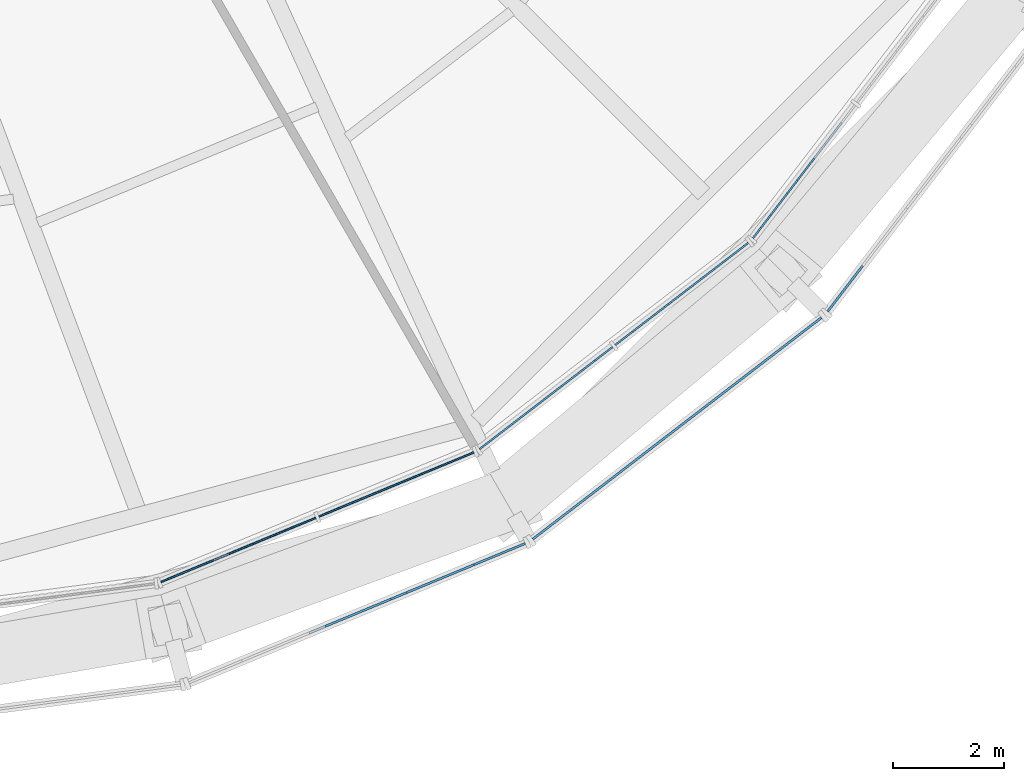
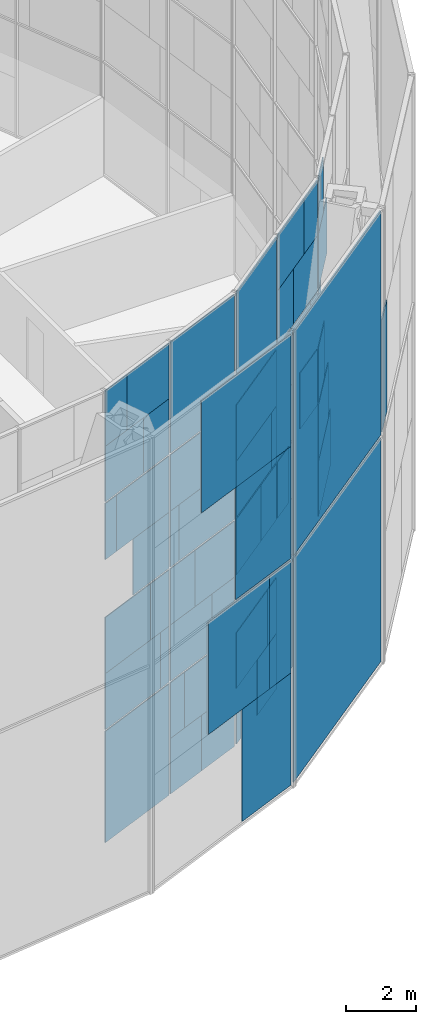
# One storey, part 17 of 28: 63 plates, 6 elements without a shape of their own.
"""IFC4 building model written with IfcOpenShell, lengths in metres."""

from ifc_helpers import new_model, si_unit, direction, frame, origin, origin_2d, place, context, subcontext, project, spatial, rectangle, extrude, material, layer, layer_set, type_object, element, aggregate, save


model = new_model("IFC4")

# Units and contexts
model_context = context("Model", 3, precision=1e-05, world=origin(), true_north=direction((0.0, 1.0)))
body_context = subcontext(model_context, "Body", "Model", "MODEL_VIEW")
ifc_project = project(units=[si_unit("LENGTHUNIT", "METRE"), si_unit("AREAUNIT", "SQUARE_METRE"), si_unit("VOLUMEUNIT", "CUBIC_METRE"), si_unit("PLANEANGLEUNIT", "RADIAN"), si_unit("MASSUNIT", "GRAM", prefix="KILO")], contexts=[model_context])

# Site, building, storey
site_placement = place(None, origin())
site = spatial("IfcSite", under=ifc_project, at=site_placement, CompositionType="ELEMENT")
building_placement = place(site_placement, origin())
building = spatial("IfcBuilding", under=site, at=building_placement, Name="Golbaran Civic Tower", CompositionType="ELEMENT")
storey_placement = place(building_placement, frame((0.0, 0.0, 183.0)))
storey = spatial("IfcBuildingStorey", under=building, at=storey_placement, Name="L44", CompositionType="ELEMENT", Elevation=183.0)

# Curtain wall, plates
ifc_material_1 = material(Name="Aluminium and glass", Category="aluminium")
curtain_wall_type_1 = type_object("IfcCurtainWallType", Name="INNER SKIN CURTAIN WALL EXECUTIVE", PredefinedType="NOTDEFINED", material=ifc_material_1)
curtain_wall_1_placement = place(storey_placement, origin())
curtain_wall_1 = element("IfcCurtainWall", 1, at=curtain_wall_1_placement, inside=storey, type_object=curtain_wall_type_1, Name="Inner skin L44 facet 20 CW2", ObjectType="INNER SKIN", PredefinedType="USERDEFINED")
ifc_material_2 = material(Name="Clear insulating glass", Category="glass")
ifc_layer_1 = layer(ifc_material_2, 0.031982421875, Name="Clear insulating glass")
ifc_layer_set_1 = layer_set([ifc_layer_1], Name="Clear insulating glass")
plate_type_1 = type_object("IfcPlateType", Name="INNER SKIN CURTAIN WALL EXECUTIVE GLAZED PANEL", PredefinedType="CURTAIN_PANEL", material=ifc_layer_set_1)
plate_1_placement = place(storey_placement, frame((7.612548828125, -22.400146484375, 0.06005859375), z_axis=(0.0, 0.0, 1.0), x_axis=(0.923879532491, 0.382683432413, 0.0)))
plate_1 = element("IfcPlate", 2, at=plate_1_placement, type_object=plate_type_1, Name="CW2 panel 1.1", PredefinedType="CURTAIN_PANEL", context=body_context, shape_type="SweptSolid", body=[
    extrude(rectangle(XDim=3.01806640625, YDim=0.031982421875, at=origin_2d()), origin(), (0.0, 0.0, 1.0), 3.909912109375),
])
plate_2_placement = place(storey_placement, frame((7.42724609375, -22.476806640625, 4.02978515625), z_axis=(0.0, 0.0, 1.0), x_axis=(0.923879532491, 0.382683432413, 0.0)))
plate_2 = element("IfcPlate", 3, at=plate_2_placement, type_object=plate_type_1, Name="CW2 panel 1.2 part 1", PredefinedType="CURTAIN_PANEL", context=body_context, shape_type="SweptSolid", body=[
    extrude(rectangle(XDim=2.616943359375, YDim=0.031982421875, at=origin_2d()), origin(), (0.0, 0.0, 1.0), 1.969970703125),
])
plate_3_placement = place(storey_placement, frame((7.205078125, -22.56884765625, 6.0), z_axis=(0.0, 0.0, 1.0), x_axis=(0.923879532491, 0.382683432413, 0.0)))
plate_3 = element("IfcPlate", 4, at=plate_3_placement, type_object=plate_type_1, Name="CW2 panel 1.2 part 3", PredefinedType="CURTAIN_PANEL", context=body_context, shape_type="SweptSolid", body=[
    extrude(rectangle(XDim=2.135986328125, YDim=0.031982421875, at=origin_2d()), origin(), (0.0, 0.0, 1.0), 1.969970703125),
])
plate_4_placement = place(storey_placement, frame((6.4599609375, -22.877685546875, 10.0), z_axis=(0.0, 0.0, 1.0), x_axis=(0.923879532491, 0.382683432413, 0.0)))
plate_4 = element("IfcPlate", 5, at=plate_4_placement, type_object=plate_type_1, Name="CW2 panel 1.3 part 3", PredefinedType="CURTAIN_PANEL", context=body_context, shape_type="SweptSolid", body=[
    extrude(rectangle(XDim=0.52294921875, YDim=0.031982421875, at=origin_2d()), origin(), (0.0, 0.0, 1.0), 1.969970703125),
])
plate_5_placement = place(storey_placement, frame((8.44873046875, -22.053955078125, 12.030029296875), z_axis=(0.0, 0.0, 1.0), x_axis=(0.923879532491, 0.382683432413, 0.0)))
plate_5 = element("IfcPlate", 6, at=plate_5_placement, type_object=plate_type_1, Name="CW2 panel 1.4 part 2", PredefinedType="CURTAIN_PANEL", context=body_context, shape_type="SweptSolid", body=[
    extrude(rectangle(XDim=1.2080078125, YDim=0.031982421875, at=origin_2d()), origin(), (0.0, 0.0, 1.0), 1.955078125),
])
plate_6_placement = place(storey_placement, frame((8.084716796875, -22.20458984375, 13.98486328125), z_axis=(0.0, 0.0, 1.0), x_axis=(0.923879532491, 0.382683432413, 0.0)))
plate_6 = element("IfcPlate", 7, at=plate_6_placement, type_object=plate_type_1, Name="CW2 panel 1.4 part 4", PredefinedType="CURTAIN_PANEL", context=body_context, shape_type="SweptSolid", body=[
    extrude(rectangle(XDim=1.99609375, YDim=0.031982421875, at=origin_2d()), origin(), (0.0, 0.0, 1.0), 1.955078125),
])
plate_7_placement = place(storey_placement, frame((9.736083984375, -21.5205078125, 0.06005859375), z_axis=(0.0, 0.0, 1.0), x_axis=(0.923879532491, 0.382683432413, 0.0)))
plate_7 = element("IfcPlate", 8, at=plate_7_placement, type_object=plate_type_1, Name="CW2 panel 2.1 part 1", PredefinedType="CURTAIN_PANEL", context=body_context, shape_type="SweptSolid", body=[
    extrude(rectangle(XDim=1.458984375, YDim=0.031982421875, at=origin_2d()), origin(), (0.0, 0.0, 1.0), 1.955078125),
])
plate_8_placement = place(storey_placement, frame((9.371826171875, -21.671630859375, 2.014892578125), z_axis=(0.0, 0.0, 1.0), x_axis=(0.923879532491, 0.382683432413, 0.0)))
plate_8 = element("IfcPlate", 9, at=plate_8_placement, type_object=plate_type_1, Name="CW2 panel 2.1 part 3", PredefinedType="CURTAIN_PANEL", context=body_context, shape_type="SweptSolid", body=[
    extrude(rectangle(XDim=0.669921875, YDim=0.031982421875, at=origin_2d()), origin(), (0.0, 0.0, 1.0), 1.955078125),
])
plate_9_placement = place(storey_placement, frame((11.36083984375, -20.84765625, 4.02978515625), z_axis=(0.0, 0.0, 1.0), x_axis=(0.923879532491, 0.382683432413, 0.0)))
plate_9 = element("IfcPlate", 10, at=plate_9_placement, type_object=plate_type_1, Name="CW2 panel 2.2 part 2", PredefinedType="CURTAIN_PANEL", context=body_context, shape_type="SweptSolid", body=[
    extrude(rectangle(XDim=1.06005859375, YDim=0.031982421875, at=origin_2d()), origin(), (0.0, 0.0, 1.0), 1.969970703125),
])
plate_10_placement = place(storey_placement, frame((10.99365234375, -20.999755859375, 6.0), z_axis=(0.0, 0.0, 1.0), x_axis=(0.923879532491, 0.382683432413, 0.0)))
plate_10 = element("IfcPlate", 11, at=plate_10_placement, type_object=plate_type_1, Name="CW2 panel 2.2 part 4", PredefinedType="CURTAIN_PANEL", context=body_context, shape_type="SweptSolid", body=[
    extrude(rectangle(XDim=1.85498046875, YDim=0.031982421875, at=origin_2d()), origin(), (0.0, 0.0, 1.0), 1.969970703125),
])
plate_11_placement = place(storey_placement, frame((10.6416015625, -21.1455078125, 8.02978515625), z_axis=(0.0, 0.0, 1.0), x_axis=(0.923879532491, 0.382683432413, 0.0)))
plate_11 = element("IfcPlate", 12, at=plate_11_placement, type_object=plate_type_1, Name="CW2 panel 2.3 part 2", PredefinedType="CURTAIN_PANEL", context=body_context, shape_type="SweptSolid", body=[
    extrude(rectangle(XDim=2.6171875, YDim=0.031982421875, at=origin_2d()), origin(), (0.0, 0.0, 1.0), 1.969970703125),
])
plate_12_placement = place(storey_placement, frame((10.456298828125, -21.22216796875, 10.0), z_axis=(0.0, 0.0, 1.0), x_axis=(0.923879532491, 0.382683432413, 0.0)))
plate_12 = element("IfcPlate", 13, at=plate_12_placement, type_object=plate_type_1, Name="CW2 panel 2.3 part 3", PredefinedType="CURTAIN_PANEL", context=body_context, shape_type="SweptSolid", body=[
    extrude(rectangle(XDim=3.01806640625, YDim=0.031982421875, at=origin_2d()), origin(), (0.0, 0.0, 1.0), 1.969970703125),
])
plate_13_placement = place(storey_placement, frame((10.456298828125, -21.22216796875, 12.0302734375), z_axis=(0.0, 0.0, 1.0), x_axis=(0.923879532491, 0.382683432413, 0.0)))
plate_13 = element("IfcPlate", 14, at=plate_13_placement, type_object=plate_type_1, Name="CW2 panel 2.4", PredefinedType="CURTAIN_PANEL", context=body_context, shape_type="SweptSolid", body=[
    extrude(rectangle(XDim=3.01806640625, YDim=0.031982421875, at=origin_2d()), origin(), (0.0, 0.0, 1.0), 3.909912109375),
])

curtain_wall_2_placement = place(storey_placement, origin())
curtain_wall_2 = element("IfcCurtainWall", 15, at=curtain_wall_2_placement, inside=storey, type_object=curtain_wall_type_1, Name="Inner skin L44 facet 21 CW2", ObjectType="INNER SKIN", PredefinedType="USERDEFINED")
plate_14_placement = place(storey_placement, frame((13.769287109375, -19.192138671875, 0.06005859375), z_axis=(0.0, 0.0, 1.0), x_axis=(0.793353340334, 0.608761428953, 0.0)))
plate_14 = element("IfcPlate", 16, at=plate_14_placement, type_object=plate_type_1, Name="CW2 panel 1.1 part 2", PredefinedType="CURTAIN_PANEL", context=body_context, shape_type="SweptSolid", body=[
    extrude(rectangle(XDim=1.458984375, YDim=0.031982421875, at=origin_2d()), origin(), (0.0, 0.0, 1.0), 1.955078125),
])
plate_15_placement = place(storey_placement, frame((14.082275390625, -18.951904296875, 2.014892578125), z_axis=(0.0, 0.0, 1.0), x_axis=(0.793353340334, 0.608761428953, 0.0)))
plate_15 = element("IfcPlate", 17, at=plate_15_placement, type_object=plate_type_1, Name="CW2 panel 1.1 part 4", PredefinedType="CURTAIN_PANEL", context=body_context, shape_type="SweptSolid", body=[
    extrude(rectangle(XDim=0.670166015625, YDim=0.031982421875, at=origin_2d()), origin(), (0.0, 0.0, 1.0), 1.955078125),
])
plate_16_placement = place(storey_placement, frame((12.3740234375, -20.2626953125, 4.02978515625), z_axis=(0.0, 0.0, 1.0), x_axis=(0.793353340334, 0.608761428953, 0.0)))
plate_16 = element("IfcPlate", 18, at=plate_16_placement, type_object=plate_type_1, Name="CW2 panel 1.2 part 1", PredefinedType="CURTAIN_PANEL", context=body_context, shape_type="SweptSolid", body=[
    extrude(rectangle(XDim=1.06005859375, YDim=0.031982421875, at=origin_2d()), origin(), (0.0, 0.0, 1.0), 1.969970703125),
])
plate_17_placement = place(storey_placement, frame((12.689453125, -20.020751953125, 6.0), z_axis=(0.0, 0.0, 1.0), x_axis=(0.793353340334, 0.608761428953, 0.0)))
plate_17 = element("IfcPlate", 19, at=plate_17_placement, type_object=plate_type_1, Name="CW2 panel 1.2 part 3", PredefinedType="CURTAIN_PANEL", context=body_context, shape_type="SweptSolid", body=[
    extrude(rectangle(XDim=1.85498046875, YDim=0.031982421875, at=origin_2d()), origin(), (0.0, 0.0, 1.0), 1.969970703125),
])
plate_18_placement = place(storey_placement, frame((12.99169921875, -19.788818359375, 8.02978515625), z_axis=(0.0, 0.0, 1.0), x_axis=(0.793353340334, 0.608761428953, 0.0)))
plate_18 = element("IfcPlate", 20, at=plate_18_placement, type_object=plate_type_1, Name="CW2 panel 1.3 part 1", PredefinedType="CURTAIN_PANEL", context=body_context, shape_type="SweptSolid", body=[
    extrude(rectangle(XDim=2.616943359375, YDim=0.031982421875, at=origin_2d()), origin(), (0.0, 0.0, 1.0), 1.969970703125),
])
plate_19_placement = place(storey_placement, frame((13.15087890625, -19.66650390625, 10.0), z_axis=(0.0, 0.0, 1.0), x_axis=(0.793353340334, 0.608761428953, 0.0)))
plate_19 = element("IfcPlate", 21, at=plate_19_placement, type_object=plate_type_1, Name="CW2 panel 1.3 part 3", PredefinedType="CURTAIN_PANEL", context=body_context, shape_type="SweptSolid", body=[
    extrude(rectangle(XDim=3.01806640625, YDim=0.031982421875, at=origin_2d()), origin(), (0.0, 0.0, 1.0), 1.969970703125),
])
plate_20_placement = place(storey_placement, frame((13.15087890625, -19.66650390625, 12.0302734375), z_axis=(0.0, 0.0, 1.0), x_axis=(0.793353340334, 0.608761428953, 0.0)))
plate_20 = element("IfcPlate", 22, at=plate_20_placement, type_object=plate_type_1, Name="CW2 panel 1.4", PredefinedType="CURTAIN_PANEL", context=body_context, shape_type="SweptSolid", body=[
    extrude(rectangle(XDim=3.01806640625, YDim=0.031982421875, at=origin_2d()), origin(), (0.0, 0.0, 1.0), 3.909912109375),
])
plate_21_placement = place(storey_placement, frame((15.5927734375, -17.792724609375, 0.06005859375), z_axis=(0.0, 0.0, 1.0), x_axis=(0.793353340334, 0.608761428953, 0.0)))
plate_21 = element("IfcPlate", 23, at=plate_21_placement, type_object=plate_type_1, Name="CW2 panel 2.1", PredefinedType="CURTAIN_PANEL", context=body_context, shape_type="SweptSolid", body=[
    extrude(rectangle(XDim=3.01806640625, YDim=0.031982421875, at=origin_2d()), origin(), (0.0, 0.0, 1.0), 3.909912109375),
])
plate_22_placement = place(storey_placement, frame((15.75146484375, -17.671142578125, 4.02978515625), z_axis=(0.0, 0.0, 1.0), x_axis=(0.793353340334, 0.608761428953, 0.0)))
plate_22 = element("IfcPlate", 24, at=plate_22_placement, type_object=plate_type_1, Name="CW2 panel 2.2 part 2", PredefinedType="CURTAIN_PANEL", context=body_context, shape_type="SweptSolid", body=[
    extrude(rectangle(XDim=2.6181640625, YDim=0.031982421875, at=origin_2d()), origin(), (0.0, 0.0, 1.0), 1.969970703125),
])
plate_23_placement = place(storey_placement, frame((15.942626953125, -17.5244140625, 6.0), z_axis=(0.0, 0.0, 1.0), x_axis=(0.793353340334, 0.608761428953, 0.0)))
plate_23 = element("IfcPlate", 25, at=plate_23_placement, type_object=plate_type_1, Name="CW2 panel 2.2 part 4", PredefinedType="CURTAIN_PANEL", context=body_context, shape_type="SweptSolid", body=[
    extrude(rectangle(XDim=2.135986328125, YDim=0.031982421875, at=origin_2d()), origin(), (0.0, 0.0, 1.0), 1.969970703125),
])
plate_24_placement = place(storey_placement, frame((16.267578125, -17.275146484375, 8.02978515625), z_axis=(0.0, 0.0, 1.0), x_axis=(0.793353340334, 0.608761428953, 0.0)))
plate_24 = element("IfcPlate", 26, at=plate_24_placement, type_object=plate_type_1, Name="CW2 panel 2.3 part 2", PredefinedType="CURTAIN_PANEL", context=body_context, shape_type="SweptSolid", body=[
    extrude(rectangle(XDim=1.317138671875, YDim=0.031982421875, at=origin_2d()), origin(), (0.0, 0.0, 1.0), 1.969970703125),
])
plate_25_placement = place(storey_placement, frame((16.58251953125, -17.033447265625, 10.0), z_axis=(0.0, 0.0, 1.0), x_axis=(0.793353340334, 0.608761428953, 0.0)))
plate_25 = element("IfcPlate", 27, at=plate_25_placement, type_object=plate_type_1, Name="CW2 panel 2.3 part 4", PredefinedType="CURTAIN_PANEL", context=body_context, shape_type="SweptSolid", body=[
    extrude(rectangle(XDim=0.523193359375, YDim=0.031982421875, at=origin_2d()), origin(), (0.0, 0.0, 1.0), 1.969970703125),
])
plate_26_placement = place(storey_placement, frame((14.874755859375, -18.34375, 12.030029296875), z_axis=(0.0, 0.0, 1.0), x_axis=(0.793353340334, 0.608761428953, 0.0)))
plate_26 = element("IfcPlate", 28, at=plate_26_placement, type_object=plate_type_1, Name="CW2 panel 2.4 part 1", PredefinedType="CURTAIN_PANEL", context=body_context, shape_type="SweptSolid", body=[
    extrude(rectangle(XDim=1.2080078125, YDim=0.031982421875, at=origin_2d()), origin(), (0.0, 0.0, 1.0), 1.955078125),
])
plate_27_placement = place(storey_placement, frame((15.1875, -18.10400390625, 13.98486328125), z_axis=(0.0, 0.0, 1.0), x_axis=(0.793353340334, 0.608761428953, 0.0)))
plate_27 = element("IfcPlate", 29, at=plate_27_placement, type_object=plate_type_1, Name="CW2 panel 2.4 part 3", PredefinedType="CURTAIN_PANEL", context=body_context, shape_type="SweptSolid", body=[
    extrude(rectangle(XDim=1.99609375, YDim=0.031982421875, at=origin_2d()), origin(), (0.0, 0.0, 1.0), 1.955078125),
])

curtain_wall_3_placement = place(storey_placement, origin())
curtain_wall_3 = element("IfcCurtainWall", 30, at=curtain_wall_3_placement, inside=storey, type_object=curtain_wall_type_1, Name="Inner skin L44 facet 22 CW2", ObjectType="INNER SKIN", PredefinedType="USERDEFINED")
plate_28_placement = place(storey_placement, frame((17.670654296875, -15.751953125, 4.02978515625), z_axis=(0.0, 0.0, 1.0), x_axis=(0.608761428953, 0.793353340334, 0.0)))
plate_28 = element("IfcPlate", 31, at=plate_28_placement, type_object=plate_type_1, Name="CW2 panel 1.2 part 1", PredefinedType="CURTAIN_PANEL", context=body_context, shape_type="SweptSolid", body=[
    extrude(rectangle(XDim=2.616943359375, YDim=0.031982421875, at=origin_2d()), origin(), (0.0, 0.0, 1.0), 1.969970703125),
])
plate_29_placement = place(storey_placement, frame((17.5244140625, -15.942626953125, 6.0), z_axis=(0.0, 0.0, 1.0), x_axis=(0.608761428953, 0.793353340334, 0.0)))
plate_29 = element("IfcPlate", 32, at=plate_29_placement, type_object=plate_type_1, Name="CW2 panel 1.2 part 3", PredefinedType="CURTAIN_PANEL", context=body_context, shape_type="SweptSolid", body=[
    extrude(rectangle(XDim=2.135986328125, YDim=0.031982421875, at=origin_2d()), origin(), (0.0, 0.0, 1.0), 1.969970703125),
])
plate_30_placement = place(storey_placement, frame((17.27490234375, -16.267578125, 8.02978515625), z_axis=(0.0, 0.0, 1.0), x_axis=(0.608761428953, 0.793353340334, 0.0)))
plate_30 = element("IfcPlate", 33, at=plate_30_placement, type_object=plate_type_1, Name="CW2 panel 1.3 part 1", PredefinedType="CURTAIN_PANEL", context=body_context, shape_type="SweptSolid", body=[
    extrude(rectangle(XDim=1.31689453125, YDim=0.031982421875, at=origin_2d()), origin(), (0.0, 0.0, 1.0), 1.969970703125),
])
plate_31_placement = place(storey_placement, frame((17.033447265625, -16.58251953125, 10.0), z_axis=(0.0, 0.0, 1.0), x_axis=(0.608761428953, 0.793353340334, 0.0)))
plate_31 = element("IfcPlate", 34, at=plate_31_placement, type_object=plate_type_1, Name="CW2 panel 1.3 part 3", PredefinedType="CURTAIN_PANEL", context=body_context, shape_type="SweptSolid", body=[
    extrude(rectangle(XDim=0.52294921875, YDim=0.031982421875, at=origin_2d()), origin(), (0.0, 0.0, 1.0), 1.969970703125),
])

# Plate
ifc_material_3 = material(Name="Aluminium faced opaque infill panel", Category="aluminium")
ifc_layer_2 = layer(ifc_material_3, 0.031982421875, Name="Aluminium faced opaque infill panel")
ifc_layer_set_2 = layer_set([ifc_layer_2], Name="Aluminium faced opaque infill panel")
plate_type_2 = type_object("IfcPlateType", Name="INNER SKIN CURTAIN WALL EXECUTIVE OPAQUE INFILL PANEL", PredefinedType="CURTAIN_PANEL", material=ifc_layer_set_2)
plate_32_placement = place(storey_placement, frame((8.821533203125, -21.8994140625, 4.02978515625), z_axis=(0.0, 0.0, 1.0), x_axis=(0.923879532491, 0.382683432413, 0.0)))
plate_32 = element("IfcPlate", 35, at=plate_32_placement, type_object=plate_type_2, Name="CW2 infill panel 1.2 part 2", PredefinedType="CURTAIN_PANEL", context=body_context, shape_type="SweptSolid", body=[
    extrude(rectangle(XDim=0.401123046875, YDim=0.031982421875, at=origin_2d()), origin(), (0.0, 0.0, 1.0), 1.969970703125),
])

plate_33_placement = place(storey_placement, frame((8.599365234375, -21.991455078125, 6.0), z_axis=(0.0, 0.0, 1.0), x_axis=(0.923879532491, 0.382683432413, 0.0)))
plate_33 = element("IfcPlate", 36, at=plate_33_placement, type_object=plate_type_2, Name="CW2 infill panel 1.2 part 4", PredefinedType="CURTAIN_PANEL", context=body_context, shape_type="SweptSolid", body=[
    extrude(rectangle(XDim=0.882080078125, YDim=0.031982421875, at=origin_2d()), origin(), (0.0, 0.0, 1.0), 1.969970703125),
])

plate_34_placement = place(storey_placement, frame((8.220947265625, -22.148193359375, 8.02978515625), z_axis=(0.0, 0.0, 1.0), x_axis=(0.923879532491, 0.382683432413, 0.0)))
plate_34 = element("IfcPlate", 37, at=plate_34_placement, type_object=plate_type_2, Name="CW2 infill panel 1.3 part 2", PredefinedType="CURTAIN_PANEL", context=body_context, shape_type="SweptSolid", body=[
    extrude(rectangle(XDim=1.701171875, YDim=0.031982421875, at=origin_2d()), origin(), (0.0, 0.0, 1.0), 1.969970703125),
])

plate_35_placement = place(storey_placement, frame((7.854248046875, -22.300048828125, 10.0), z_axis=(0.0, 0.0, 1.0), x_axis=(0.923879532491, 0.382683432413, 0.0)))
plate_35 = element("IfcPlate", 38, at=plate_35_placement, type_object=plate_type_2, Name="CW2 infill panel 1.3 part 4", PredefinedType="CURTAIN_PANEL", context=body_context, shape_type="SweptSolid", body=[
    extrude(rectangle(XDim=2.4951171875, YDim=0.031982421875, at=origin_2d()), origin(), (0.0, 0.0, 1.0), 1.969970703125),
])

plate_36_placement = place(storey_placement, frame((7.054443359375, -22.63134765625, 12.030029296875), z_axis=(0.0, 0.0, 1.0), x_axis=(0.923879532491, 0.382683432413, 0.0)))
plate_36 = element("IfcPlate", 39, at=plate_36_placement, type_object=plate_type_2, Name="CW2 infill panel 1.4 part 1", PredefinedType="CURTAIN_PANEL", context=body_context, shape_type="SweptSolid", body=[
    extrude(rectangle(XDim=1.81005859375, YDim=0.031982421875, at=origin_2d()), origin(), (0.0, 0.0, 1.0), 1.955078125),
])

plate_37_placement = place(storey_placement, frame((6.6904296875, -22.7822265625, 13.98486328125), z_axis=(0.0, 0.0, 1.0), x_axis=(0.923879532491, 0.382683432413, 0.0)))
plate_37 = element("IfcPlate", 40, at=plate_37_placement, type_object=plate_type_2, Name="CW2 infill panel 1.4 part 3", PredefinedType="CURTAIN_PANEL", context=body_context, shape_type="SweptSolid", body=[
    extrude(rectangle(XDim=1.02197265625, YDim=0.031982421875, at=origin_2d()), origin(), (0.0, 0.0, 1.0), 1.955078125),
])

plate_38_placement = place(storey_placement, frame((11.13037109375, -20.943115234375, 0.06005859375), z_axis=(0.0, 0.0, 1.0), x_axis=(0.923879532491, 0.382683432413, 0.0)))
plate_38 = element("IfcPlate", 41, at=plate_38_placement, type_object=plate_type_2, Name="CW2 infill panel 2.1 part 2", PredefinedType="CURTAIN_PANEL", context=body_context, shape_type="SweptSolid", body=[
    extrude(rectangle(XDim=1.55908203125, YDim=0.031982421875, at=origin_2d()), origin(), (0.0, 0.0, 1.0), 1.955078125),
])

plate_39_placement = place(storey_placement, frame((10.765869140625, -21.093994140625, 2.014892578125), z_axis=(0.0, 0.0, 1.0), x_axis=(0.923879532491, 0.382683432413, 0.0)))
plate_39 = element("IfcPlate", 42, at=plate_39_placement, type_object=plate_type_2, Name="CW2 infill panel 2.1 part 4", PredefinedType="CURTAIN_PANEL", context=body_context, shape_type="SweptSolid", body=[
    extrude(rectangle(XDim=2.34814453125, YDim=0.031982421875, at=origin_2d()), origin(), (0.0, 0.0, 1.0), 1.955078125),
])

plate_40_placement = place(storey_placement, frame((9.966796875, -21.425048828125, 4.02978515625), z_axis=(0.0, 0.0, 1.0), x_axis=(0.923879532491, 0.382683432413, 0.0)))
plate_40 = element("IfcPlate", 43, at=plate_40_placement, type_object=plate_type_2, Name="CW2 infill panel 2.2 part 1", PredefinedType="CURTAIN_PANEL", context=body_context, shape_type="SweptSolid", body=[
    extrude(rectangle(XDim=1.9580078125, YDim=0.031982421875, at=origin_2d()), origin(), (0.0, 0.0, 1.0), 1.969970703125),
])

plate_41_placement = place(storey_placement, frame((9.599365234375, -21.5771484375, 6.0), z_axis=(0.0, 0.0, 1.0), x_axis=(0.923879532491, 0.382683432413, 0.0)))
plate_41 = element("IfcPlate", 44, at=plate_41_placement, type_object=plate_type_2, Name="CW2 infill panel 2.2 part 3", PredefinedType="CURTAIN_PANEL", context=body_context, shape_type="SweptSolid", body=[
    extrude(rectangle(XDim=1.1630859375, YDim=0.031982421875, at=origin_2d()), origin(), (0.0, 0.0, 1.0), 1.969970703125),
])

plate_42_placement = place(storey_placement, frame((9.24755859375, -21.722900390625, 8.02978515625), z_axis=(0.0, 0.0, 1.0), x_axis=(0.923879532491, 0.382683432413, 0.0)))
plate_42 = element("IfcPlate", 45, at=plate_42_placement, type_object=plate_type_2, Name="CW2 infill panel 2.3 part 1", PredefinedType="CURTAIN_PANEL", context=body_context, shape_type="SweptSolid", body=[
    extrude(rectangle(XDim=0.40087890625, YDim=0.031982421875, at=origin_2d()), origin(), (0.0, 0.0, 1.0), 1.969970703125),
])

aggregate(curtain_wall_1, [plate_1, plate_2, plate_32, plate_3, plate_33, plate_34, plate_4, plate_35, plate_36, plate_5, plate_37, plate_6, plate_7, plate_38, plate_8, plate_39, plate_40, plate_9, plate_41, plate_10, plate_42, plate_11, plate_12, plate_13])

plate_43_placement = place(storey_placement, frame((12.572021484375, -20.11083984375, 0.06005859375), z_axis=(0.0, 0.0, 1.0), x_axis=(0.793353340334, 0.608761428953, 0.0)))
plate_43 = element("IfcPlate", 46, at=plate_43_placement, type_object=plate_type_2, Name="CW2 infill panel 1.1 part 1", PredefinedType="CURTAIN_PANEL", context=body_context, shape_type="SweptSolid", body=[
    extrude(rectangle(XDim=1.55908203125, YDim=0.031982421875, at=origin_2d()), origin(), (0.0, 0.0, 1.0), 1.955078125),
])

plate_44_placement = place(storey_placement, frame((12.885009765625, -19.87060546875, 2.014892578125), z_axis=(0.0, 0.0, 1.0), x_axis=(0.793353340334, 0.608761428953, 0.0)))
plate_44 = element("IfcPlate", 47, at=plate_44_placement, type_object=plate_type_2, Name="CW2 infill panel 1.1 part 3", PredefinedType="CURTAIN_PANEL", context=body_context, shape_type="SweptSolid", body=[
    extrude(rectangle(XDim=2.347900390625, YDim=0.031982421875, at=origin_2d()), origin(), (0.0, 0.0, 1.0), 1.955078125),
])

plate_45_placement = place(storey_placement, frame((13.5712890625, -19.343994140625, 4.02978515625), z_axis=(0.0, 0.0, 1.0), x_axis=(0.793353340334, 0.608761428953, 0.0)))
plate_45 = element("IfcPlate", 48, at=plate_45_placement, type_object=plate_type_2, Name="CW2 infill panel 1.2 part 2", PredefinedType="CURTAIN_PANEL", context=body_context, shape_type="SweptSolid", body=[
    extrude(rectangle(XDim=1.9580078125, YDim=0.031982421875, at=origin_2d()), origin(), (0.0, 0.0, 1.0), 1.969970703125),
])

plate_46_placement = place(storey_placement, frame((13.88671875, -19.10205078125, 6.0), z_axis=(0.0, 0.0, 1.0), x_axis=(0.793353340334, 0.608761428953, 0.0)))
plate_46 = element("IfcPlate", 49, at=plate_46_placement, type_object=plate_type_2, Name="CW2 infill panel 1.2 part 4", PredefinedType="CURTAIN_PANEL", context=body_context, shape_type="SweptSolid", body=[
    extrude(rectangle(XDim=1.1630859375, YDim=0.031982421875, at=origin_2d()), origin(), (0.0, 0.0, 1.0), 1.969970703125),
])

plate_47_placement = place(storey_placement, frame((14.18896484375, -18.8701171875, 8.02978515625), z_axis=(0.0, 0.0, 1.0), x_axis=(0.793353340334, 0.608761428953, 0.0)))
plate_47 = element("IfcPlate", 50, at=plate_47_placement, type_object=plate_type_2, Name="CW2 infill panel 1.3 part 2", PredefinedType="CURTAIN_PANEL", context=body_context, shape_type="SweptSolid", body=[
    extrude(rectangle(XDim=0.401123046875, YDim=0.031982421875, at=origin_2d()), origin(), (0.0, 0.0, 1.0), 1.969970703125),
])

plate_48_placement = place(storey_placement, frame((14.55419921875, -18.589599609375, 4.02978515625), z_axis=(0.0, 0.0, 1.0), x_axis=(0.793353340334, 0.608761428953, 0.0)))
plate_48 = element("IfcPlate", 51, at=plate_48_placement, type_object=plate_type_2, Name="CW2 infill panel 2.2 part 1", PredefinedType="CURTAIN_PANEL", context=body_context, shape_type="SweptSolid", body=[
    extrude(rectangle(XDim=0.39990234375, YDim=0.031982421875, at=origin_2d()), origin(), (0.0, 0.0, 1.0), 1.969970703125),
])

plate_49_placement = place(storey_placement, frame((14.745361328125, -18.44287109375, 6.0), z_axis=(0.0, 0.0, 1.0), x_axis=(0.793353340334, 0.608761428953, 0.0)))
plate_49 = element("IfcPlate", 52, at=plate_49_placement, type_object=plate_type_2, Name="CW2 infill panel 2.2 part 3", PredefinedType="CURTAIN_PANEL", context=body_context, shape_type="SweptSolid", body=[
    extrude(rectangle(XDim=0.882080078125, YDim=0.031982421875, at=origin_2d()), origin(), (0.0, 0.0, 1.0), 1.969970703125),
])

plate_50_placement = place(storey_placement, frame((15.0703125, -18.193603515625, 8.02978515625), z_axis=(0.0, 0.0, 1.0), x_axis=(0.793353340334, 0.608761428953, 0.0)))
plate_50 = element("IfcPlate", 53, at=plate_50_placement, type_object=plate_type_2, Name="CW2 infill panel 2.3 part 1", PredefinedType="CURTAIN_PANEL", context=body_context, shape_type="SweptSolid", body=[
    extrude(rectangle(XDim=1.700927734375, YDim=0.031982421875, at=origin_2d()), origin(), (0.0, 0.0, 1.0), 1.969970703125),
])

plate_51_placement = place(storey_placement, frame((15.38525390625, -17.951904296875, 10.0), z_axis=(0.0, 0.0, 1.0), x_axis=(0.793353340334, 0.608761428953, 0.0)))
plate_51 = element("IfcPlate", 54, at=plate_51_placement, type_object=plate_type_2, Name="CW2 infill panel 2.3 part 3", PredefinedType="CURTAIN_PANEL", context=body_context, shape_type="SweptSolid", body=[
    extrude(rectangle(XDim=2.4951171875, YDim=0.031982421875, at=origin_2d()), origin(), (0.0, 0.0, 1.0), 1.969970703125),
])

plate_52_placement = place(storey_placement, frame((16.072021484375, -17.425048828125, 12.030029296875), z_axis=(0.0, 0.0, 1.0), x_axis=(0.793353340334, 0.608761428953, 0.0)))
plate_52 = element("IfcPlate", 55, at=plate_52_placement, type_object=plate_type_2, Name="CW2 infill panel 2.4 part 2", PredefinedType="CURTAIN_PANEL", context=body_context, shape_type="SweptSolid", body=[
    extrude(rectangle(XDim=1.81005859375, YDim=0.031982421875, at=origin_2d()), origin(), (0.0, 0.0, 1.0), 1.955078125),
])

plate_53_placement = place(storey_placement, frame((16.384521484375, -17.185302734375, 13.98486328125), z_axis=(0.0, 0.0, 1.0), x_axis=(0.793353340334, 0.608761428953, 0.0)))
plate_53 = element("IfcPlate", 56, at=plate_53_placement, type_object=plate_type_2, Name="CW2 infill panel 2.4 part 4", PredefinedType="CURTAIN_PANEL", context=body_context, shape_type="SweptSolid", body=[
    extrude(rectangle(XDim=1.02197265625, YDim=0.031982421875, at=origin_2d()), origin(), (0.0, 0.0, 1.0), 1.955078125),
])

aggregate(curtain_wall_2, [plate_43, plate_14, plate_44, plate_15, plate_16, plate_45, plate_17, plate_46, plate_18, plate_47, plate_19, plate_20, plate_21, plate_48, plate_22, plate_49, plate_23, plate_50, plate_24, plate_51, plate_25, plate_26, plate_52, plate_27, plate_53])

plate_54_placement = place(storey_placement, frame((17.425048828125, -16.072021484375, 12.030029296875), z_axis=(0.0, 0.0, 1.0), x_axis=(0.608761428953, 0.793353340334, 0.0)))
plate_54 = element("IfcPlate", 57, at=plate_54_placement, type_object=plate_type_2, Name="CW2 infill panel 1.4 part 1", PredefinedType="CURTAIN_PANEL", context=body_context, shape_type="SweptSolid", body=[
    extrude(rectangle(XDim=1.81005859375, YDim=0.031982421875, at=origin_2d()), origin(), (0.0, 0.0, 1.0), 1.955078125),
])

plate_55_placement = place(storey_placement, frame((17.185302734375, -16.384521484375, 13.98486328125), z_axis=(0.0, 0.0, 1.0), x_axis=(0.608761428953, 0.793353340334, 0.0)))
plate_55 = element("IfcPlate", 58, at=plate_55_placement, type_object=plate_type_2, Name="CW2 infill panel 1.4 part 3", PredefinedType="CURTAIN_PANEL", context=body_context, shape_type="SweptSolid", body=[
    extrude(rectangle(XDim=1.02197265625, YDim=0.031982421875, at=origin_2d()), origin(), (0.0, 0.0, 1.0), 1.955078125),
])

aggregate(curtain_wall_3, [plate_28, plate_29, plate_30, plate_31, plate_54, plate_55])

# Curtain wall, plates
curtain_wall_type_2 = type_object("IfcCurtainWallType", Name="OUTER SKIN TERRACOTTA SCREEN", PredefinedType="NOTDEFINED", material=ifc_material_1)
curtain_wall_4_placement = place(storey_placement, origin())
curtain_wall_4 = element("IfcCurtainWall", 59, at=curtain_wall_4_placement, inside=storey, type_object=curtain_wall_type_2, Name="Outer skin L44 facet 20 CW3", ObjectType="OUTER SKIN", PredefinedType="USERDEFINED")
ifc_material_4 = material(Name="Clear laminated glass", Category="glass")
ifc_layer_3 = layer(ifc_material_4, 0.0400390625, Name="Clear laminated glass")
ifc_layer_set_3 = layer_set([ifc_layer_3], Name="Clear laminated glass")
plate_type_3 = type_object("IfcPlateType", Name="OUTER SKIN CLEAR GLASS PANEL", PredefinedType="CURTAIN_PANEL", material=ifc_layer_set_3)
plate_56_placement = place(storey_placement, frame((12.314453125, -22.4755859375, 3.31005859375), z_axis=(0.0, 0.0, 1.0), x_axis=(0.923879532518, 0.382683432349, 0.0)))
plate_56 = element("IfcPlate", 60, at=plate_56_placement, type_object=plate_type_3, Name="CW3 panel 1.1 part 5", PredefinedType="CURTAIN_PANEL", context=body_context, shape_type="SweptSolid", body=[
    extrude(rectangle(XDim=0.996337890625, YDim=0.0400390625, at=origin_2d()), origin(), (0.0, 0.0, 1.0), 3.93994140625),
])
plate_57_placement = place(storey_placement, frame((11.565673828125, -22.78564453125, 7.330078125), z_axis=(0.0, 0.0, 1.0), x_axis=(0.923879532518, 0.382683432349, 0.0)))
plate_57 = element("IfcPlate", 61, at=plate_57_placement, type_object=plate_type_3, Name="CW3 panel 1.2 part 3", PredefinedType="CURTAIN_PANEL", context=body_context, shape_type="SweptSolid", body=[
    extrude(rectangle(XDim=2.6171875, YDim=0.0400390625, at=origin_2d()), origin(), (0.0, 0.0, 1.0), 3.93994140625),
])
plate_58_placement = place(storey_placement, frame((10.83056640625, -23.090087890625, 11.27001953125), z_axis=(0.0, 0.0, 1.0), x_axis=(0.923879532518, 0.382683432349, 0.0)))
plate_58 = element("IfcPlate", 62, at=plate_58_placement, type_object=plate_type_3, Name="CW3 panel 1.2 part 5", PredefinedType="CURTAIN_PANEL", context=body_context, shape_type="SweptSolid", body=[
    extrude(rectangle(XDim=4.208251953125, YDim=0.0400390625, at=origin_2d()), origin(), (0.0, 0.0, 1.0), 3.93994140625),
])

# Curtain wall, plate
curtain_wall_5_placement = place(storey_placement, origin())
curtain_wall_5 = element("IfcCurtainWall", 63, at=curtain_wall_5_placement, inside=storey, type_object=curtain_wall_type_2, Name="Outer skin L44 facet 22 CW3", ObjectType="OUTER SKIN", PredefinedType="USERDEFINED")
plate_59_placement = place(storey_placement, frame((18.532958984375, -17.697998046875, 7.330078125), z_axis=(0.0, 0.0, 1.0), x_axis=(0.608761429023, 0.793353340281, 0.0)))
plate_59 = element("IfcPlate", 64, at=plate_59_placement, type_object=plate_type_3, Name="CW3 panel 1.2 part 1", PredefinedType="CURTAIN_PANEL", context=body_context, shape_type="SweptSolid", body=[
    extrude(rectangle(XDim=1.031005859375, YDim=0.0400390625, at=origin_2d()), origin(), (0.0, 0.0, 1.0), 3.93994140625),
])
aggregate(curtain_wall_5, [plate_59])

# Plate
ifc_material_5 = material(Name="Terracotta baguette screen", Category="masonry")
ifc_layer_4 = layer(ifc_material_5, 0.0400390625, Name="Terracotta baguette screen")
ifc_layer_set_4 = layer_set([ifc_layer_4], Name="Terracotta baguette screen")
plate_type_4 = type_object("IfcPlateType", Name="OUTER SKIN TERRACOTTA INFILL PANEL", PredefinedType="CURTAIN_PANEL", material=ifc_layer_set_4)
plate_60_placement = place(storey_placement, frame((11.708740234375, -22.726318359375, -0.6298828125), z_axis=(0.0, 0.0, 1.0), x_axis=(0.923879532518, 0.382683432349, 0.0)))
plate_60 = element("IfcPlate", 65, at=plate_60_placement, type_object=plate_type_4, Name="CW3 infill panel 1.1 part 2", PredefinedType="CURTAIN_PANEL", context=body_context, shape_type="SweptSolid", body=[
    extrude(rectangle(XDim=2.307373046875, YDim=0.0400390625, at=origin_2d()), origin(), (0.0, 0.0, 1.0), 3.93994140625),
])

plate_61_placement = place(storey_placement, frame((10.5146484375, -23.220947265625, 3.31005859375), z_axis=(0.0, 0.0, 1.0), x_axis=(0.923879532518, 0.382683432349, 0.0)))
plate_61 = element("IfcPlate", 66, at=plate_61_placement, type_object=plate_type_4, Name="CW3 infill panel 1.1 part 4", PredefinedType="CURTAIN_PANEL", context=body_context, shape_type="SweptSolid", body=[
    extrude(rectangle(XDim=2.89990234375, YDim=0.0400390625, at=origin_2d()), origin(), (0.0, 0.0, 1.0), 3.93994140625),
])

aggregate(curtain_wall_4, [plate_60, plate_61, plate_56, plate_57, plate_58])

# Curtain wall, plates
curtain_wall_6_placement = place(storey_placement, origin())
curtain_wall_6 = element("IfcCurtainWall", 67, at=curtain_wall_6_placement, inside=storey, type_object=curtain_wall_type_2, Name="Outer skin L44 facet 21 CW3", ObjectType="OUTER SKIN", PredefinedType="USERDEFINED")
ifc_layer_5 = layer(ifc_material_5, 0.0400390625, Name="Terracotta baguette screen")
ifc_layer_set_5 = layer_set([ifc_layer_5], Name="Terracotta baguette screen")
plate_type_5 = type_object("IfcPlateType", Name="OUTER SKIN TERRACOTTA SCREEN PANEL", PredefinedType="CURTAIN_PANEL", material=ifc_layer_set_5)
plate_62_placement = place(storey_placement, frame((15.509521484375, -20.21240234375, -0.6298828125), z_axis=(0.0, 0.0, 1.0), x_axis=(0.793353340281, 0.608761429023, 0.0)))
plate_62 = element("IfcPlate", 68, at=plate_62_placement, type_object=plate_type_5, Name="CW3 terracotta screen panel 1.1", PredefinedType="CURTAIN_PANEL", context=body_context, shape_type="SweptSolid", body=[
    extrude(rectangle(XDim=6.54833984375, YDim=0.0400390625, at=origin_2d()), origin(), (0.0, 0.0, 1.0), 7.8798828125),
])
plate_63_placement = place(storey_placement, frame((15.509521484375, -20.21240234375, 7.330078125), z_axis=(0.0, 0.0, 1.0), x_axis=(0.793353340281, 0.608761429023, 0.0)))
plate_63 = element("IfcPlate", 69, at=plate_63_placement, type_object=plate_type_5, Name="CW3 terracotta screen panel 1.2", PredefinedType="CURTAIN_PANEL", context=body_context, shape_type="SweptSolid", body=[
    extrude(rectangle(XDim=6.54833984375, YDim=0.0400390625, at=origin_2d()), origin(), (0.0, 0.0, 1.0), 7.8798828125),
])
aggregate(curtain_wall_6, [plate_62, plate_63])

save(model, "model.ifc")
